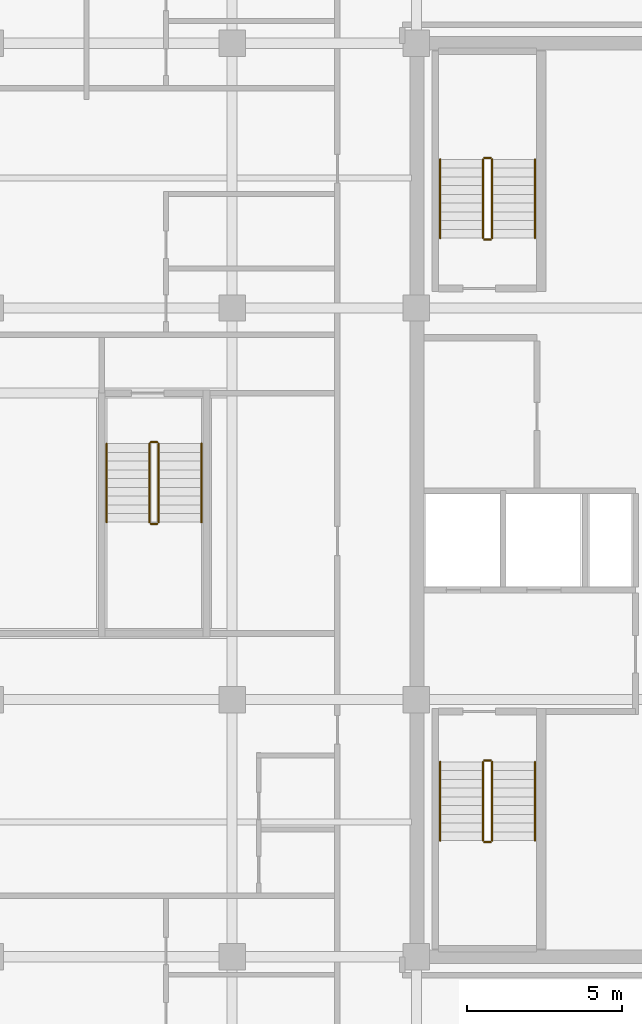
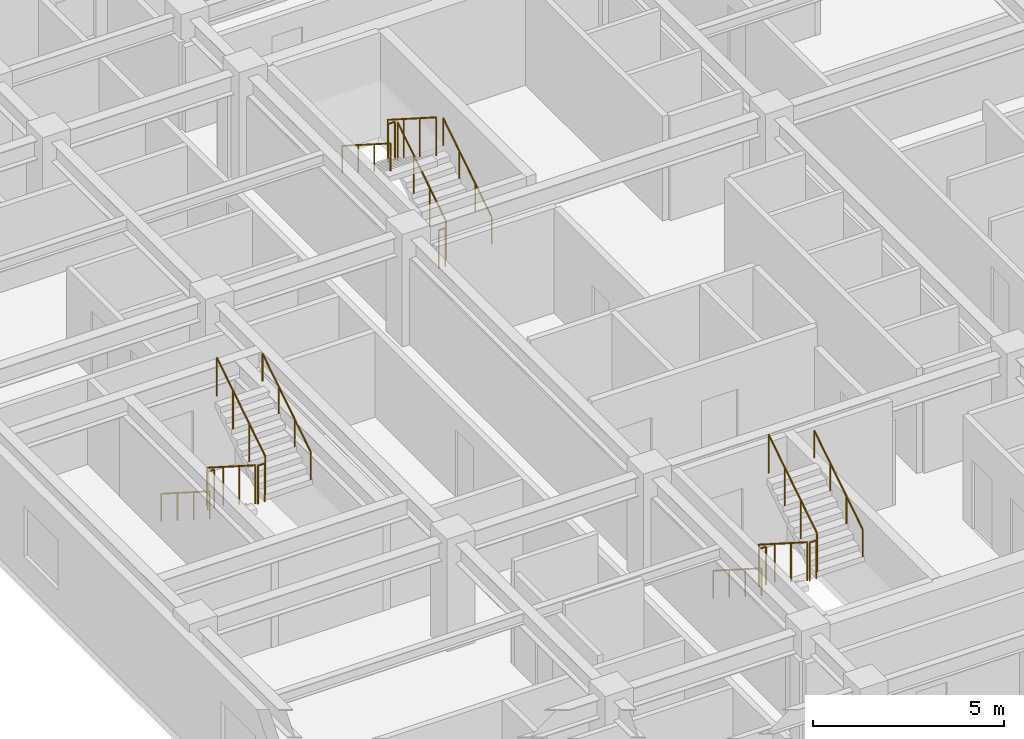
# One storey, part 9 of 9: 18 railings.
"""IFC4 building model written with IfcOpenShell, lengths in metres."""

from ifc_helpers import new_model, si_unit, direction, frame, origin, origin_2d, place, context, subcontext, project, spatial, circle, extrude, material, type_object, element, save


model = new_model("IFC4")

# Units and contexts
model_context = context("Model", 3, precision=1e-05, world=origin(), true_north=direction((0.0, 1.0)))
body_context = subcontext(model_context, "Body", "Model", "MODEL_VIEW")
ifc_project = project(units=[si_unit("LENGTHUNIT", "METRE"), si_unit("AREAUNIT", "SQUARE_METRE"), si_unit("VOLUMEUNIT", "CUBIC_METRE"), si_unit("PLANEANGLEUNIT", "RADIAN"), si_unit("MASSUNIT", "GRAM", prefix="KILO")], contexts=[model_context])

# Site, building, storey
site_placement = place(None, origin())
site = spatial("IfcSite", under=ifc_project, at=site_placement, CompositionType="ELEMENT")
building_placement = place(site_placement, origin())
building = spatial("IfcBuilding", under=site, at=building_placement, Name="Ochreholt Gables", CompositionType="ELEMENT")
storey_placement = place(building_placement, frame((0.0, 0.0, 94.800048828125)))
storey = spatial("IfcBuildingStorey", under=building, at=storey_placement, Name="L24", CompositionType="ELEMENT", Elevation=94.800048828125)

# Railings
ifc_material_1 = material(Name="Painted Steel Stair Guardrail", Category="steel")
railing_type_1 = type_object("IfcRailingType", Name="RL-ST-GUARD", PredefinedType="GUARDRAIL", material=ifc_material_1)
railing_1_placement = place(storey_placement, frame((26.35009765625, 15.5400390625, 0.179931640625)))
element("IfcRailing", 1, at=railing_1_placement, inside=storey, type_object=railing_type_1, Name="L24 ST-1 stair guard 1", PredefinedType="GUARDRAIL", context=body_context, shape_type="SweptSolid", body=[
    extrude(circle(Radius=0.02392578125, at=origin_2d()), frame((0.0, 0.0, 1.22607421875), z_axis=(0.0, -0.842912820907, 0.538050161556), x_axis=(1.0, 0.0, 0.0)), (0.0, 0.0, 1.0), 3.010986328125),
    extrude(circle(Radius=0.02099609375, at=origin_2d()), origin(), (0.0, 0.0, 1.0), 1.201904296875),
    extrude(circle(Radius=0.02099609375, at=origin_2d()), frame((0.0, -0.845947265625, 0.5400390625)), (0.0, 0.0, 1.0), 1.201904296875),
    extrude(circle(Radius=0.02099609375, at=origin_2d()), frame((0.0, -1.692138671875, 1.080078125)), (0.0, 0.0, 1.0), 1.201904296875),
    extrude(circle(Radius=0.02099609375, at=origin_2d()), frame((0.0, -2.5380859375, 1.6201171875)), (0.0, 0.0, 1.0), 1.201904296875),
])
railing_2_placement = place(storey_placement, frame((26.39990234375, 12.951904296875, 1.800048828125)))
element("IfcRailing", 2, at=railing_2_placement, inside=storey, type_object=railing_type_1, Name="L24 ST-1 stair guard 2", PredefinedType="GUARDRAIL", context=body_context, shape_type="SweptSolid", body=[
    extrude(circle(Radius=0.02392578125, at=origin_2d()), frame((0.0, 0.0, 1.22607421875), z_axis=(1.0, 0.0, 0.0), x_axis=(0.0, 1.0, 0.0)), (0.0, 0.0, 1.0), 0.2001953125),
    extrude(circle(Radius=0.02099609375, at=origin_2d()), origin(), (0.0, 0.0, 1.0), 1.201904296875),
    extrude(circle(Radius=0.02099609375, at=origin_2d()), frame((0.2001953125, 0.0, 0.0)), (0.0, 0.0, 1.0), 1.201904296875),
])
railing_3_placement = place(storey_placement, frame((26.64990234375, 13.001953125, 1.97998046875)))
element("IfcRailing", 3, at=railing_3_placement, inside=storey, type_object=railing_type_1, Name="L24 ST-1 stair guard 3", PredefinedType="GUARDRAIL", context=body_context, shape_type="SweptSolid", body=[
    extrude(circle(Radius=0.02392578125, at=origin_2d()), frame((0.0, 0.0, 1.22607421875), z_axis=(0.0, 0.842949592929, 0.537992549931), x_axis=(-1.0, 0.0, 0.0)), (0.0, 0.0, 1.0), 3.010986328125),
    extrude(circle(Radius=0.02099609375, at=origin_2d()), origin(), (0.0, 0.0, 1.0), 1.201904296875),
    extrude(circle(Radius=0.02099609375, at=origin_2d()), frame((0.0, 0.845947265625, 0.5400390625)), (0.0, 0.0, 1.0), 1.201904296875),
    extrude(circle(Radius=0.02099609375, at=origin_2d()), frame((0.0, 1.692138671875, 1.079833984375)), (0.0, 0.0, 1.0), 1.201904296875),
    extrude(circle(Radius=0.02099609375, at=origin_2d()), frame((0.0, 2.5380859375, 1.619873046875)), (0.0, 0.0, 1.0), 1.201904296875),
])
railing_4_placement = place(storey_placement, frame((26.39990234375, 15.590087890625, 0.0)))
element("IfcRailing", 4, at=railing_4_placement, inside=storey, type_object=railing_type_1, Name="L24 ST-1 stair guard 4", PredefinedType="GUARDRAIL", context=body_context, shape_type="SweptSolid", body=[
    extrude(circle(Radius=0.02392578125, at=origin_2d()), frame((0.0, 0.0, 1.22607421875), z_axis=(1.0, 0.0, 0.0), x_axis=(0.0, 1.0, 0.0)), (0.0, 0.0, 1.0), 0.2001953125),
    extrude(circle(Radius=0.02099609375, at=origin_2d()), origin(), (0.0, 0.0, 1.0), 1.201904296875),
    extrude(circle(Radius=0.02099609375, at=origin_2d()), frame((0.2001953125, 0.0, 0.0)), (0.0, 0.0, 1.0), 1.201904296875),
])
railing_5_placement = place(storey_placement, frame((26.64990234375, 32.4599609375, 0.179931640625)))
element("IfcRailing", 5, at=railing_5_placement, inside=storey, type_object=railing_type_1, Name="L24 ST-2 stair guard 1", PredefinedType="GUARDRAIL", context=body_context, shape_type="SweptSolid", body=[
    extrude(circle(Radius=0.02392578125, at=origin_2d()), frame((0.0, 0.0, 1.22607421875), z_axis=(0.0, 0.842912820907, 0.538050161556), x_axis=(-1.0, 0.0, 0.0)), (0.0, 0.0, 1.0), 3.010986328125),
    extrude(circle(Radius=0.02099609375, at=origin_2d()), origin(), (0.0, 0.0, 1.0), 1.201904296875),
    extrude(circle(Radius=0.02099609375, at=origin_2d()), frame((0.0, 0.845947265625, 0.5400390625)), (0.0, 0.0, 1.0), 1.201904296875),
    extrude(circle(Radius=0.02099609375, at=origin_2d()), frame((0.0, 1.692138671875, 1.080078125)), (0.0, 0.0, 1.0), 1.201904296875),
    extrude(circle(Radius=0.02099609375, at=origin_2d()), frame((0.0, 2.5380859375, 1.6201171875)), (0.0, 0.0, 1.0), 1.201904296875),
])
railing_6_placement = place(storey_placement, frame((26.60009765625, 35.048095703125, 1.800048828125)))
element("IfcRailing", 6, at=railing_6_placement, inside=storey, type_object=railing_type_1, Name="L24 ST-2 stair guard 2", PredefinedType="GUARDRAIL", context=body_context, shape_type="SweptSolid", body=[
    extrude(circle(Radius=0.02392578125, at=origin_2d()), frame((0.0, 0.0, 1.22607421875), z_axis=(-1.0, 0.0, 0.0), x_axis=(0.0, -1.0, 0.0)), (0.0, 0.0, 1.0), 0.2001953125),
    extrude(circle(Radius=0.02099609375, at=origin_2d()), origin(), (0.0, 0.0, 1.0), 1.201904296875),
    extrude(circle(Radius=0.02099609375, at=origin_2d()), frame((-0.2001953125, 0.0, 0.0)), (0.0, 0.0, 1.0), 1.201904296875),
])
railing_7_placement = place(storey_placement, frame((26.35009765625, 34.998046875, 1.97998046875)))
element("IfcRailing", 7, at=railing_7_placement, inside=storey, type_object=railing_type_1, Name="L24 ST-2 stair guard 3", PredefinedType="GUARDRAIL", context=body_context, shape_type="SweptSolid", body=[
    extrude(circle(Radius=0.02392578125, at=origin_2d()), frame((0.0, 0.0, 1.22607421875), z_axis=(0.0, -0.842949592929, 0.537992549931), x_axis=(1.0, 0.0, 0.0)), (0.0, 0.0, 1.0), 3.010986328125),
    extrude(circle(Radius=0.02099609375, at=origin_2d()), origin(), (0.0, 0.0, 1.0), 1.201904296875),
    extrude(circle(Radius=0.02099609375, at=origin_2d()), frame((0.0, -0.845947265625, 0.5400390625)), (0.0, 0.0, 1.0), 1.201904296875),
    extrude(circle(Radius=0.02099609375, at=origin_2d()), frame((0.0, -1.692138671875, 1.079833984375)), (0.0, 0.0, 1.0), 1.201904296875),
    extrude(circle(Radius=0.02099609375, at=origin_2d()), frame((0.0, -2.5380859375, 1.619873046875)), (0.0, 0.0, 1.0), 1.201904296875),
])
railing_8_placement = place(storey_placement, frame((26.60009765625, 32.409912109375, 0.0)))
element("IfcRailing", 8, at=railing_8_placement, inside=storey, type_object=railing_type_1, Name="L24 ST-2 stair guard 4", PredefinedType="GUARDRAIL", context=body_context, shape_type="SweptSolid", body=[
    extrude(circle(Radius=0.02392578125, at=origin_2d()), frame((0.0, 0.0, 1.22607421875), z_axis=(-1.0, 0.0, 0.0), x_axis=(0.0, -1.0, 0.0)), (0.0, 0.0, 1.0), 0.2001953125),
    extrude(circle(Radius=0.02099609375, at=origin_2d()), origin(), (0.0, 0.0, 1.0), 1.201904296875),
    extrude(circle(Radius=0.02099609375, at=origin_2d()), frame((-0.2001953125, 0.0, 0.0)), (0.0, 0.0, 1.0), 1.201904296875),
])
railing_9_placement = place(storey_placement, frame((15.580078125, 25.820068359375, 0.179931640625)))
element("IfcRailing", 9, at=railing_9_placement, inside=storey, type_object=railing_type_1, Name="L24 ST-C2 stair guard 1", PredefinedType="GUARDRAIL", context=body_context, shape_type="SweptSolid", body=[
    extrude(circle(Radius=0.02392578125, at=origin_2d()), frame((0.0, 0.0, 1.22607421875), z_axis=(0.0, -0.842912820907, 0.538050161556), x_axis=(1.0, 0.0, 0.0)), (0.0, 0.0, 1.0), 3.010986328125),
    extrude(circle(Radius=0.02099609375, at=origin_2d()), origin(), (0.0, 0.0, 1.0), 1.201904296875),
    extrude(circle(Radius=0.02099609375, at=origin_2d()), frame((0.0, -0.845947265625, 0.5400390625)), (0.0, 0.0, 1.0), 1.201904296875),
    extrude(circle(Radius=0.02099609375, at=origin_2d()), frame((0.0, -1.692138671875, 1.080078125)), (0.0, 0.0, 1.0), 1.201904296875),
    extrude(circle(Radius=0.02099609375, at=origin_2d()), frame((0.0, -2.5380859375, 1.6201171875)), (0.0, 0.0, 1.0), 1.201904296875),
])
railing_10_placement = place(storey_placement, frame((15.6298828125, 23.23193359375, 1.800048828125)))
element("IfcRailing", 10, at=railing_10_placement, inside=storey, type_object=railing_type_1, Name="L24 ST-C2 stair guard 2", PredefinedType="GUARDRAIL", context=body_context, shape_type="SweptSolid", body=[
    extrude(circle(Radius=0.02392578125, at=origin_2d()), frame((0.0, 0.0, 1.22607421875), z_axis=(1.0, 0.0, 0.0), x_axis=(0.0, 1.0, 0.0)), (0.0, 0.0, 1.0), 0.2001953125),
    extrude(circle(Radius=0.02099609375, at=origin_2d()), origin(), (0.0, 0.0, 1.0), 1.201904296875),
    extrude(circle(Radius=0.02099609375, at=origin_2d()), frame((0.2001953125, 0.0, 0.0)), (0.0, 0.0, 1.0), 1.201904296875),
])
railing_11_placement = place(storey_placement, frame((15.8798828125, 23.281982421875, 1.97998046875)))
element("IfcRailing", 11, at=railing_11_placement, inside=storey, type_object=railing_type_1, Name="L24 ST-C2 stair guard 3", PredefinedType="GUARDRAIL", context=body_context, shape_type="SweptSolid", body=[
    extrude(circle(Radius=0.02392578125, at=origin_2d()), frame((0.0, 0.0, 1.22607421875), z_axis=(0.0, 0.842949592929, 0.537992549931), x_axis=(-1.0, 0.0, 0.0)), (0.0, 0.0, 1.0), 3.010986328125),
    extrude(circle(Radius=0.02099609375, at=origin_2d()), origin(), (0.0, 0.0, 1.0), 1.201904296875),
    extrude(circle(Radius=0.02099609375, at=origin_2d()), frame((0.0, 0.845947265625, 0.5400390625)), (0.0, 0.0, 1.0), 1.201904296875),
    extrude(circle(Radius=0.02099609375, at=origin_2d()), frame((0.0, 1.692138671875, 1.079833984375)), (0.0, 0.0, 1.0), 1.201904296875),
    extrude(circle(Radius=0.02099609375, at=origin_2d()), frame((0.0, 2.5380859375, 1.619873046875)), (0.0, 0.0, 1.0), 1.201904296875),
])
railing_12_placement = place(storey_placement, frame((15.6298828125, 25.8701171875, 0.0)))
element("IfcRailing", 12, at=railing_12_placement, inside=storey, type_object=railing_type_1, Name="L24 ST-C2 stair guard 4", PredefinedType="GUARDRAIL", context=body_context, shape_type="SweptSolid", body=[
    extrude(circle(Radius=0.02392578125, at=origin_2d()), frame((0.0, 0.0, 1.22607421875), z_axis=(1.0, 0.0, 0.0), x_axis=(0.0, 1.0, 0.0)), (0.0, 0.0, 1.0), 0.2001953125),
    extrude(circle(Radius=0.02099609375, at=origin_2d()), origin(), (0.0, 0.0, 1.0), 1.201904296875),
    extrude(circle(Radius=0.02099609375, at=origin_2d()), frame((0.2001953125, 0.0, 0.0)), (0.0, 0.0, 1.0), 1.201904296875),
])
ifc_material_2 = material(Name="Brushed Stainless Steel Wall Handrail", Category="steel")
railing_type_2 = type_object("IfcRailingType", Name="RL-ST-HAND", PredefinedType="HANDRAIL", material=ifc_material_2)
railing_13_placement = place(storey_placement, frame((24.969970703125, 15.5400390625, 0.179931640625)))
element("IfcRailing", 13, at=railing_13_placement, inside=storey, type_object=railing_type_2, Name="L24 ST-1 stair handrail 1", PredefinedType="HANDRAIL", context=body_context, shape_type="SweptSolid", body=[
    extrude(circle(Radius=0.02392578125, at=origin_2d()), frame((0.0, 0.0, 0.8759765625), z_axis=(0.0, -0.842912820907, 0.538050161556), x_axis=(1.0, 0.0, 0.0)), (0.0, 0.0, 1.0), 3.010986328125),
    extrude(circle(Radius=0.02099609375, at=origin_2d()), origin(), (0.0, 0.0, 1.0), 0.851806640625),
    extrude(circle(Radius=0.02099609375, at=origin_2d()), frame((0.0, -0.845947265625, 0.5400390625)), (0.0, 0.0, 1.0), 0.851806640625),
    extrude(circle(Radius=0.02099609375, at=origin_2d()), frame((0.0, -1.692138671875, 1.080078125)), (0.0, 0.0, 1.0), 0.851806640625),
    extrude(circle(Radius=0.02099609375, at=origin_2d()), frame((0.0, -2.5380859375, 1.6201171875)), (0.0, 0.0, 1.0), 0.851806640625),
])
railing_14_placement = place(storey_placement, frame((28.030029296875, 13.001953125, 1.97998046875)))
element("IfcRailing", 14, at=railing_14_placement, inside=storey, type_object=railing_type_2, Name="L24 ST-1 stair handrail 2", PredefinedType="HANDRAIL", context=body_context, shape_type="SweptSolid", body=[
    extrude(circle(Radius=0.02392578125, at=origin_2d()), frame((0.0, 0.0, 0.8759765625), z_axis=(0.0, 0.842949592929, 0.537992549931), x_axis=(-1.0, 0.0, 0.0)), (0.0, 0.0, 1.0), 3.010986328125),
    extrude(circle(Radius=0.02099609375, at=origin_2d()), origin(), (0.0, 0.0, 1.0), 0.851806640625),
    extrude(circle(Radius=0.02099609375, at=origin_2d()), frame((0.0, 0.845947265625, 0.5400390625)), (0.0, 0.0, 1.0), 0.851806640625),
    extrude(circle(Radius=0.02099609375, at=origin_2d()), frame((0.0, 1.692138671875, 1.079833984375)), (0.0, 0.0, 1.0), 0.851806640625),
    extrude(circle(Radius=0.02099609375, at=origin_2d()), frame((0.0, 2.5380859375, 1.619873046875)), (0.0, 0.0, 1.0), 0.851806640625),
])
railing_15_placement = place(storey_placement, frame((28.030029296875, 32.4599609375, 0.179931640625)))
element("IfcRailing", 15, at=railing_15_placement, inside=storey, type_object=railing_type_2, Name="L24 ST-2 stair handrail 1", PredefinedType="HANDRAIL", context=body_context, shape_type="SweptSolid", body=[
    extrude(circle(Radius=0.02392578125, at=origin_2d()), frame((0.0, 0.0, 0.8759765625), z_axis=(0.0, 0.842912820907, 0.538050161556), x_axis=(-1.0, 0.0, 0.0)), (0.0, 0.0, 1.0), 3.010986328125),
    extrude(circle(Radius=0.02099609375, at=origin_2d()), origin(), (0.0, 0.0, 1.0), 0.851806640625),
    extrude(circle(Radius=0.02099609375, at=origin_2d()), frame((0.0, 0.845947265625, 0.5400390625)), (0.0, 0.0, 1.0), 0.851806640625),
    extrude(circle(Radius=0.02099609375, at=origin_2d()), frame((0.0, 1.692138671875, 1.080078125)), (0.0, 0.0, 1.0), 0.851806640625),
    extrude(circle(Radius=0.02099609375, at=origin_2d()), frame((0.0, 2.5380859375, 1.6201171875)), (0.0, 0.0, 1.0), 0.851806640625),
])
railing_16_placement = place(storey_placement, frame((24.969970703125, 34.998046875, 1.97998046875)))
element("IfcRailing", 16, at=railing_16_placement, inside=storey, type_object=railing_type_2, Name="L24 ST-2 stair handrail 2", PredefinedType="HANDRAIL", context=body_context, shape_type="SweptSolid", body=[
    extrude(circle(Radius=0.02392578125, at=origin_2d()), frame((0.0, 0.0, 0.8759765625), z_axis=(0.0, -0.842949592929, 0.537992549931), x_axis=(1.0, 0.0, 0.0)), (0.0, 0.0, 1.0), 3.010986328125),
    extrude(circle(Radius=0.02099609375, at=origin_2d()), origin(), (0.0, 0.0, 1.0), 0.851806640625),
    extrude(circle(Radius=0.02099609375, at=origin_2d()), frame((0.0, -0.845947265625, 0.5400390625)), (0.0, 0.0, 1.0), 0.851806640625),
    extrude(circle(Radius=0.02099609375, at=origin_2d()), frame((0.0, -1.692138671875, 1.079833984375)), (0.0, 0.0, 1.0), 0.851806640625),
    extrude(circle(Radius=0.02099609375, at=origin_2d()), frame((0.0, -2.5380859375, 1.619873046875)), (0.0, 0.0, 1.0), 0.851806640625),
])
railing_17_placement = place(storey_placement, frame((14.199951171875, 25.820068359375, 0.179931640625)))
element("IfcRailing", 17, at=railing_17_placement, inside=storey, type_object=railing_type_2, Name="L24 ST-C2 stair handrail 1", PredefinedType="HANDRAIL", context=body_context, shape_type="SweptSolid", body=[
    extrude(circle(Radius=0.02392578125, at=origin_2d()), frame((0.0, 0.0, 0.8759765625), z_axis=(0.0, -0.842912820907, 0.538050161556), x_axis=(1.0, 0.0, 0.0)), (0.0, 0.0, 1.0), 3.010986328125),
    extrude(circle(Radius=0.02099609375, at=origin_2d()), origin(), (0.0, 0.0, 1.0), 0.851806640625),
    extrude(circle(Radius=0.02099609375, at=origin_2d()), frame((0.0, -0.845947265625, 0.5400390625)), (0.0, 0.0, 1.0), 0.851806640625),
    extrude(circle(Radius=0.02099609375, at=origin_2d()), frame((0.0, -1.692138671875, 1.080078125)), (0.0, 0.0, 1.0), 0.851806640625),
    extrude(circle(Radius=0.02099609375, at=origin_2d()), frame((0.0, -2.5380859375, 1.6201171875)), (0.0, 0.0, 1.0), 0.851806640625),
])
railing_18_placement = place(storey_placement, frame((17.260009765625, 23.281982421875, 1.97998046875)))
element("IfcRailing", 18, at=railing_18_placement, inside=storey, type_object=railing_type_2, Name="L24 ST-C2 stair handrail 2", PredefinedType="HANDRAIL", context=body_context, shape_type="SweptSolid", body=[
    extrude(circle(Radius=0.02392578125, at=origin_2d()), frame((0.0, 0.0, 0.8759765625), z_axis=(0.0, 0.842949592929, 0.537992549931), x_axis=(-1.0, 0.0, 0.0)), (0.0, 0.0, 1.0), 3.010986328125),
    extrude(circle(Radius=0.02099609375, at=origin_2d()), origin(), (0.0, 0.0, 1.0), 0.851806640625),
    extrude(circle(Radius=0.02099609375, at=origin_2d()), frame((0.0, 0.845947265625, 0.5400390625)), (0.0, 0.0, 1.0), 0.851806640625),
    extrude(circle(Radius=0.02099609375, at=origin_2d()), frame((0.0, 1.692138671875, 1.079833984375)), (0.0, 0.0, 1.0), 0.851806640625),
    extrude(circle(Radius=0.02099609375, at=origin_2d()), frame((0.0, 2.5380859375, 1.619873046875)), (0.0, 0.0, 1.0), 0.851806640625),
])

save(model, "model.ifc")
